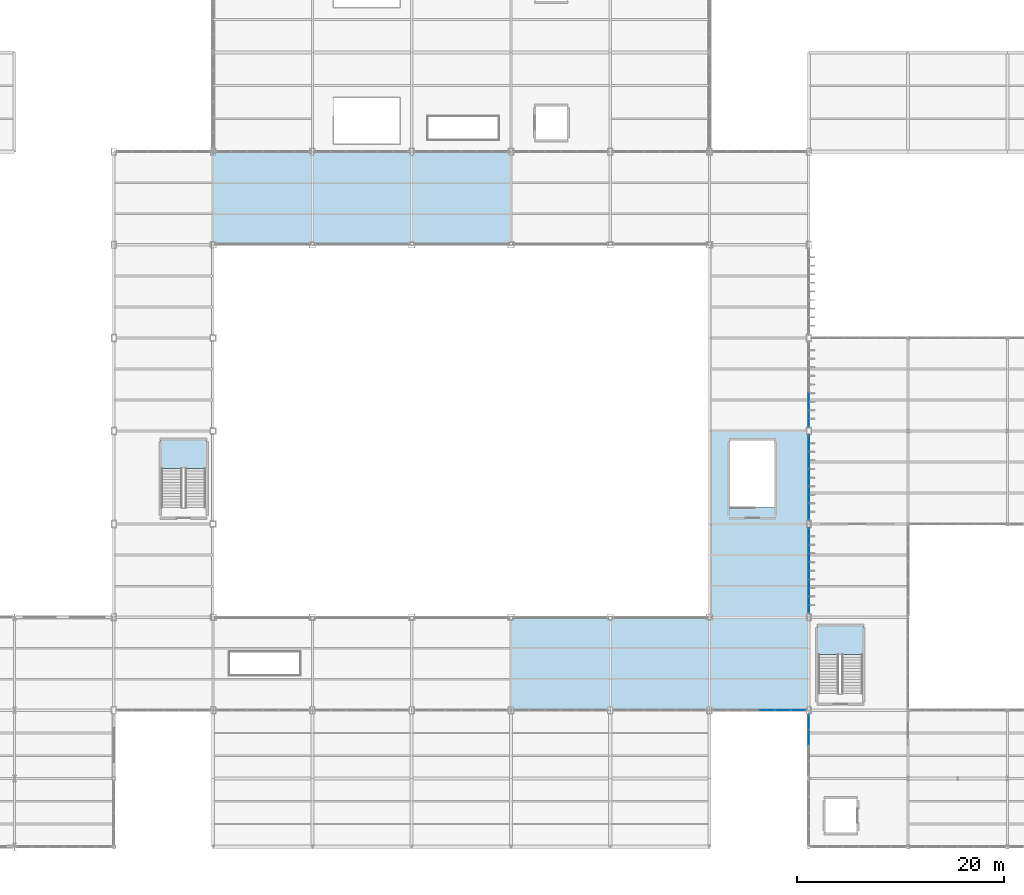
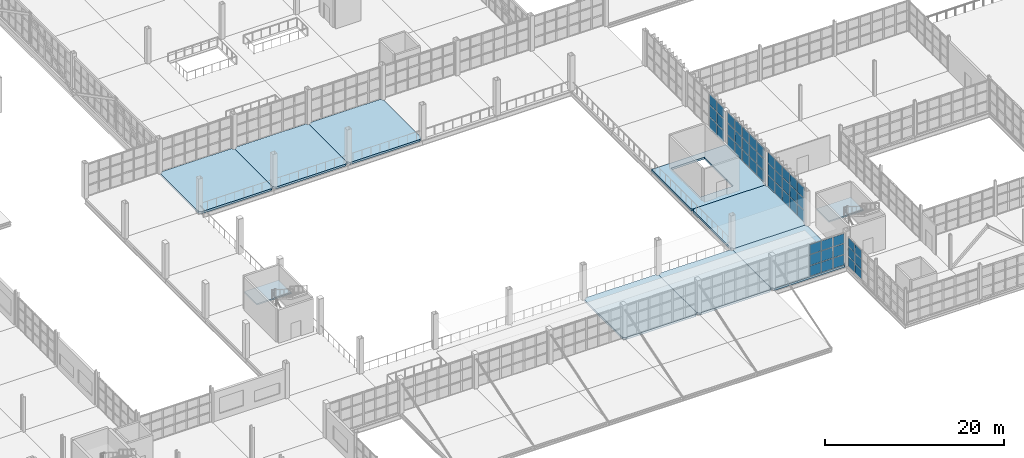
# One storey, part 79 of 120: 51 plates, 10 slabs, 7 elements without a shape of their own.
"""IFC4 building model written with IfcOpenShell, lengths in metres."""

from ifc_helpers import new_model, si_unit, direction, frame, origin, origin_2d, place, context, subcontext, project, spatial, polyline, rectangle, outline, extrude, material, layer, layer_set, type_object, element, aggregate, save


model = new_model("IFC4")

# Units and contexts
model_context = context("Model", 3, precision=1e-05, world=origin(), true_north=direction((0.0, 1.0)))
body_context = subcontext(model_context, "Body", "Model", "MODEL_VIEW")
ifc_project = project(units=[si_unit("LENGTHUNIT", "METRE"), si_unit("AREAUNIT", "SQUARE_METRE"), si_unit("VOLUMEUNIT", "CUBIC_METRE"), si_unit("PLANEANGLEUNIT", "RADIAN"), si_unit("MASSUNIT", "GRAM", prefix="KILO")], contexts=[model_context])

# Site, building, storey
site_placement = place(None, origin())
site = spatial("IfcSite", under=ifc_project, at=site_placement, CompositionType="ELEMENT")
building_placement = place(site_placement, origin())
building = spatial("IfcBuilding", under=site, at=building_placement, Name="Zarnetskaya Central Station", CompositionType="ELEMENT")
storey_placement = place(building_placement, frame((0.0, 0.0, 5.39990234375)))
storey = spatial("IfcBuildingStorey", under=building, at=storey_placement, Name="L01", CompositionType="ELEMENT", Elevation=5.39990234375)

# Curtain wall, plates
ifc_material_1 = material(Name="Low-E insulated glass", Category="glass")
ifc_layer_1 = layer(ifc_material_1, 0.1640625, Name="Low-E insulated glass", Category="glass")
ifc_layer_set_1 = layer_set([ifc_layer_1], Name="Low-E insulated glass")
curtain_wall_type_1 = type_object("IfcCurtainWallType", Name="CW-SYS-17", PredefinedType="USERDEFINED", material=ifc_layer_set_1)
curtain_wall_1_placement = place(storey_placement, origin())
curtain_wall_1 = element("IfcCurtainWall", 1, at=curtain_wall_1_placement, inside=storey, type_object=curtain_wall_type_1, Name="Curtain wall CW-L01-095", ObjectType="CURTAIN WALL", PredefinedType="USERDEFINED")
ifc_layer_2 = layer(ifc_material_1, 0.028076171875, Name="Low-E insulated glass", Category="glass")
ifc_layer_set_2 = layer_set([ifc_layer_2], Name="Low-E insulated glass")
plate_type_1 = type_object("IfcPlateType", Name="CW-PAN-28", PredefinedType="CURTAIN_PANEL", material=ifc_layer_set_2)
plate_1_placement = place(storey_placement, frame((124.800048828125, 43.0400390625, 0.06982421875), z_axis=(0.0, 0.0, 1.0), x_axis=(0.0, -1.0, 0.0)))
plate_1 = element("IfcPlate", 2, at=plate_1_placement, type_object=plate_type_1, Name="CW-03 panel 4.1", PredefinedType="CURTAIN_PANEL", context=body_context, shape_type="SweptSolid", body=[
    extrude(rectangle(XDim=1.590087890625, YDim=0.028076171875, at=origin_2d()), origin(), (0.0, 0.0, 1.0), 1.527099609375),
])
plate_2_placement = place(storey_placement, frame((124.800048828125, 43.0400390625, 1.6669921875), z_axis=(0.0, 0.0, 1.0), x_axis=(0.0, -1.0, 0.0)))
plate_2 = element("IfcPlate", 3, at=plate_2_placement, type_object=plate_type_1, Name="CW-03 panel 4.2", PredefinedType="CURTAIN_PANEL", context=body_context, shape_type="SweptSolid", body=[
    extrude(rectangle(XDim=1.590087890625, YDim=0.028076171875, at=origin_2d()), origin(), (0.0, 0.0, 1.0), 1.56201171875),
])
plate_3_placement = place(storey_placement, frame((124.800048828125, 43.0400390625, 3.29931640625), z_axis=(0.0, 0.0, 1.0), x_axis=(0.0, -1.0, 0.0)))
plate_3 = element("IfcPlate", 4, at=plate_3_placement, type_object=plate_type_1, Name="CW-03 panel 4.3", PredefinedType="CURTAIN_PANEL", context=body_context, shape_type="SweptSolid", body=[
    extrude(rectangle(XDim=1.590087890625, YDim=0.028076171875, at=origin_2d()), origin(), (0.0, 0.0, 1.0), 1.430908203125),
])
plate_4_placement = place(storey_placement, frame((124.800048828125, 41.3974609375, 0.06982421875), z_axis=(0.0, 0.0, 1.0), x_axis=(0.0, -1.0, 0.0)))
plate_4 = element("IfcPlate", 5, at=plate_4_placement, type_object=plate_type_1, Name="CW-03 panel 5.1", PredefinedType="CURTAIN_PANEL", context=body_context, shape_type="SweptSolid", body=[
    extrude(rectangle(XDim=1.554931640625, YDim=0.028076171875, at=origin_2d()), origin(), (0.0, 0.0, 1.0), 1.527099609375),
])
plate_5_placement = place(storey_placement, frame((124.800048828125, 41.3974609375, 1.6669921875), z_axis=(0.0, 0.0, 1.0), x_axis=(0.0, -1.0, 0.0)))
plate_5 = element("IfcPlate", 6, at=plate_5_placement, type_object=plate_type_1, Name="CW-03 panel 5.2", PredefinedType="CURTAIN_PANEL", context=body_context, shape_type="SweptSolid", body=[
    extrude(rectangle(XDim=1.554931640625, YDim=0.028076171875, at=origin_2d()), origin(), (0.0, 0.0, 1.0), 1.56201171875),
])
plate_6_placement = place(storey_placement, frame((124.800048828125, 41.3974609375, 3.29931640625), z_axis=(0.0, 0.0, 1.0), x_axis=(0.0, -1.0, 0.0)))
plate_6 = element("IfcPlate", 7, at=plate_6_placement, type_object=plate_type_1, Name="CW-03 panel 5.3", PredefinedType="CURTAIN_PANEL", context=body_context, shape_type="SweptSolid", body=[
    extrude(rectangle(XDim=1.554931640625, YDim=0.028076171875, at=origin_2d()), origin(), (0.0, 0.0, 1.0), 1.430908203125),
])
aggregate(curtain_wall_1, [plate_1, plate_2, plate_3, plate_4, plate_5, plate_6])

ifc_layer_3 = layer(ifc_material_1, 0.172119140625, Name="Low-E insulated glass", Category="glass")
ifc_layer_set_3 = layer_set([ifc_layer_3], Name="Low-E insulated glass")
curtain_wall_type_2 = type_object("IfcCurtainWallType", Name="CW-SYS-14", PredefinedType="USERDEFINED", material=ifc_layer_set_3)
curtain_wall_2_placement = place(storey_placement, origin())
curtain_wall_2 = element("IfcCurtainWall", 8, at=curtain_wall_2_placement, inside=storey, type_object=curtain_wall_type_2, Name="Curtain wall CW-L01-086", ObjectType="CURTAIN WALL", PredefinedType="USERDEFINED")
ifc_layer_4 = layer(ifc_material_1, 0.031982421875, Name="Low-E insulated glass", Category="glass")
ifc_layer_set_4 = layer_set([ifc_layer_4], Name="Low-E insulated glass")
plate_type_2 = type_object("IfcPlateType", Name="CW-PAN-32", PredefinedType="CURTAIN_PANEL", material=ifc_layer_set_4)
plate_7_placement = place(storey_placement, frame((123.771728515625, 13.199951171875, 0.080078125), z_axis=(0.0, 0.0, 1.0), x_axis=(-1.0, 0.0, 0.0)))
plate_7 = element("IfcPlate", 9, at=plate_7_placement, type_object=plate_type_2, Name="CW-17 panel 1.1", PredefinedType="CURTAIN_PANEL", context=body_context, shape_type="SweptSolid", body=[
    extrude(rectangle(XDim=1.396728515625, YDim=0.031982421875, at=origin_2d()), origin(), (0.0, 0.0, 1.0), 1.39306640625),
])
plate_8_placement = place(storey_placement, frame((123.771728515625, 13.199951171875, 1.552978515625), z_axis=(0.0, 0.0, 1.0), x_axis=(-1.0, 0.0, 0.0)))
plate_8 = element("IfcPlate", 10, at=plate_8_placement, type_object=plate_type_2, Name="CW-17 panel 1.2", PredefinedType="CURTAIN_PANEL", context=body_context, shape_type="SweptSolid", body=[
    extrude(rectangle(XDim=1.396728515625, YDim=0.031982421875, at=origin_2d()), origin(), (0.0, 0.0, 1.0), 1.43310546875),
])
plate_9_placement = place(storey_placement, frame((123.771728515625, 13.199951171875, 3.06591796875), z_axis=(0.0, 0.0, 1.0), x_axis=(-1.0, 0.0, 0.0)))
plate_9 = element("IfcPlate", 11, at=plate_9_placement, type_object=plate_type_2, Name="CW-17 panel 1.3", PredefinedType="CURTAIN_PANEL", context=body_context, shape_type="SweptSolid", body=[
    extrude(rectangle(XDim=1.396728515625, YDim=0.031982421875, at=origin_2d()), origin(), (0.0, 0.0, 1.0), 1.303955078125),
])
plate_10_placement = place(storey_placement, frame((122.27490234375, 13.199951171875, 0.080078125), z_axis=(0.0, 0.0, 1.0), x_axis=(-1.0, 0.0, 0.0)))
plate_10 = element("IfcPlate", 12, at=plate_10_placement, type_object=plate_type_2, Name="CW-17 panel 2.1", PredefinedType="CURTAIN_PANEL", context=body_context, shape_type="SweptSolid", body=[
    extrude(rectangle(XDim=1.436767578125, YDim=0.031982421875, at=origin_2d()), origin(), (0.0, 0.0, 1.0), 1.39306640625),
])
plate_11_placement = place(storey_placement, frame((122.27490234375, 13.199951171875, 1.552978515625), z_axis=(0.0, 0.0, 1.0), x_axis=(-1.0, 0.0, 0.0)))
plate_11 = element("IfcPlate", 13, at=plate_11_placement, type_object=plate_type_2, Name="CW-17 panel 2.2", PredefinedType="CURTAIN_PANEL", context=body_context, shape_type="SweptSolid", body=[
    extrude(rectangle(XDim=1.436767578125, YDim=0.031982421875, at=origin_2d()), origin(), (0.0, 0.0, 1.0), 1.43310546875),
])
plate_12_placement = place(storey_placement, frame((122.27490234375, 13.199951171875, 3.06591796875), z_axis=(0.0, 0.0, 1.0), x_axis=(-1.0, 0.0, 0.0)))
plate_12 = element("IfcPlate", 14, at=plate_12_placement, type_object=plate_type_2, Name="CW-17 panel 2.3", PredefinedType="CURTAIN_PANEL", context=body_context, shape_type="SweptSolid", body=[
    extrude(rectangle(XDim=1.436767578125, YDim=0.031982421875, at=origin_2d()), origin(), (0.0, 0.0, 1.0), 1.303955078125),
])
plate_13_placement = place(storey_placement, frame((120.75830078125, 13.199951171875, 0.080078125), z_axis=(0.0, 0.0, 1.0), x_axis=(-1.0, 0.0, 0.0)))
plate_13 = element("IfcPlate", 15, at=plate_13_placement, type_object=plate_type_2, Name="CW-17 panel 3.1", PredefinedType="CURTAIN_PANEL", context=body_context, shape_type="SweptSolid", body=[
    extrude(rectangle(XDim=1.436767578125, YDim=0.031982421875, at=origin_2d()), origin(), (0.0, 0.0, 1.0), 1.39306640625),
])
plate_14_placement = place(storey_placement, frame((120.75830078125, 13.199951171875, 1.552978515625), z_axis=(0.0, 0.0, 1.0), x_axis=(-1.0, 0.0, 0.0)))
plate_14 = element("IfcPlate", 16, at=plate_14_placement, type_object=plate_type_2, Name="CW-17 panel 3.2", PredefinedType="CURTAIN_PANEL", context=body_context, shape_type="SweptSolid", body=[
    extrude(rectangle(XDim=1.436767578125, YDim=0.031982421875, at=origin_2d()), origin(), (0.0, 0.0, 1.0), 1.43310546875),
])
plate_15_placement = place(storey_placement, frame((120.75830078125, 13.199951171875, 3.06591796875), z_axis=(0.0, 0.0, 1.0), x_axis=(-1.0, 0.0, 0.0)))
plate_15 = element("IfcPlate", 17, at=plate_15_placement, type_object=plate_type_2, Name="CW-17 panel 3.3", PredefinedType="CURTAIN_PANEL", context=body_context, shape_type="SweptSolid", body=[
    extrude(rectangle(XDim=1.436767578125, YDim=0.031982421875, at=origin_2d()), origin(), (0.0, 0.0, 1.0), 1.303955078125),
])
aggregate(curtain_wall_2, [plate_7, plate_8, plate_9, plate_10, plate_11, plate_12, plate_13, plate_14, plate_15])

ifc_layer_5 = layer(ifc_material_1, 0.159912109375, Name="Low-E insulated glass", Category="glass")
ifc_layer_set_5 = layer_set([ifc_layer_5], Name="Low-E insulated glass")
curtain_wall_type_3 = type_object("IfcCurtainWallType", Name="CW-SYS-06", PredefinedType="USERDEFINED", material=ifc_layer_set_5)
curtain_wall_3_placement = place(storey_placement, origin())
curtain_wall_3 = element("IfcCurtainWall", 18, at=curtain_wall_3_placement, inside=storey, type_object=curtain_wall_type_3, Name="Curtain wall CW-L01-111", ObjectType="CURTAIN WALL", PredefinedType="USERDEFINED")
plate_16_placement = place(storey_placement, frame((124.800048828125, 10.572998046875, 0.070068359375), z_axis=(0.0, 0.0, 1.0), x_axis=(0.0, 1.0, 0.0)))
plate_16 = element("IfcPlate", 19, at=plate_16_placement, type_object=plate_type_2, Name="CW-02 panel 3.1", PredefinedType="CURTAIN_PANEL", context=body_context, shape_type="SweptSolid", body=[
    extrude(rectangle(XDim=1.447998046875, YDim=0.031982421875, at=origin_2d()), origin(), (0.0, 0.0, 1.0), 1.26904296875),
])
plate_17_placement = place(storey_placement, frame((124.800048828125, 10.572998046875, 1.4091796875), z_axis=(0.0, 0.0, 1.0), x_axis=(0.0, 1.0, 0.0)))
plate_17 = element("IfcPlate", 20, at=plate_17_placement, type_object=plate_type_2, Name="CW-02 panel 3.2", PredefinedType="CURTAIN_PANEL", context=body_context, shape_type="SweptSolid", body=[
    extrude(rectangle(XDim=1.447998046875, YDim=0.031982421875, at=origin_2d()), origin(), (0.0, 0.0, 1.0), 1.302978515625),
])
plate_18_placement = place(storey_placement, frame((124.800048828125, 10.572998046875, 2.781982421875), z_axis=(0.0, 0.0, 1.0), x_axis=(0.0, 1.0, 0.0)))
plate_18 = element("IfcPlate", 21, at=plate_18_placement, type_object=plate_type_2, Name="CW-02 panel 3.3", PredefinedType="CURTAIN_PANEL", context=body_context, shape_type="SweptSolid", body=[
    extrude(rectangle(XDim=1.447998046875, YDim=0.031982421875, at=origin_2d()), origin(), (0.0, 0.0, 1.0), 1.18798828125),
])
plate_19_placement = place(storey_placement, frame((124.800048828125, 12.073486328125, 0.070068359375), z_axis=(0.0, 0.0, 1.0), x_axis=(0.0, 1.0, 0.0)))
plate_19 = element("IfcPlate", 22, at=plate_19_placement, type_object=plate_type_2, Name="CW-02 panel 4.1", PredefinedType="CURTAIN_PANEL", context=body_context, shape_type="SweptSolid", body=[
    extrude(rectangle(XDim=1.4130859375, YDim=0.031982421875, at=origin_2d()), origin(), (0.0, 0.0, 1.0), 1.26904296875),
])
plate_20_placement = place(storey_placement, frame((124.800048828125, 12.073486328125, 1.4091796875), z_axis=(0.0, 0.0, 1.0), x_axis=(0.0, 1.0, 0.0)))
plate_20 = element("IfcPlate", 23, at=plate_20_placement, type_object=plate_type_2, Name="CW-02 panel 4.2", PredefinedType="CURTAIN_PANEL", context=body_context, shape_type="SweptSolid", body=[
    extrude(rectangle(XDim=1.4130859375, YDim=0.031982421875, at=origin_2d()), origin(), (0.0, 0.0, 1.0), 1.302978515625),
])
plate_21_placement = place(storey_placement, frame((124.800048828125, 12.073486328125, 2.781982421875), z_axis=(0.0, 0.0, 1.0), x_axis=(0.0, 1.0, 0.0)))
plate_21 = element("IfcPlate", 24, at=plate_21_placement, type_object=plate_type_2, Name="CW-02 panel 4.3", PredefinedType="CURTAIN_PANEL", context=body_context, shape_type="SweptSolid", body=[
    extrude(rectangle(XDim=1.4130859375, YDim=0.031982421875, at=origin_2d()), origin(), (0.0, 0.0, 1.0), 1.18798828125),
])
aggregate(curtain_wall_3, [plate_16, plate_17, plate_18, plate_19, plate_20, plate_21])

curtain_wall_4_placement = place(storey_placement, origin())
curtain_wall_4 = element("IfcCurtainWall", 25, at=curtain_wall_4_placement, inside=storey, type_object=curtain_wall_type_1, Name="Curtain wall CW-L01-092", ObjectType="CURTAIN WALL", PredefinedType="USERDEFINED")
ifc_layer_6 = layer(ifc_material_1, 0.035888671875, Name="Low-E insulated glass", Category="glass")
ifc_layer_set_6 = layer_set([ifc_layer_6], Name="Low-E insulated glass")
plate_type_3 = type_object("IfcPlateType", Name="CW-PAN-36", PredefinedType="CURTAIN_PANEL", material=ifc_layer_set_6)
plate_22_placement = place(storey_placement, frame((124.800048828125, 39.0, 0.080078125), z_axis=(0.0, 0.0, 1.0), x_axis=(0.0, -1.0, 0.0)))
plate_22 = element("IfcPlate", 26, at=plate_22_placement, type_object=plate_type_3, Name="CW-03 panel 1.1", PredefinedType="CURTAIN_PANEL", context=body_context, shape_type="SweptSolid", body=[
    extrude(rectangle(XDim=1.5400390625, YDim=0.035888671875, at=origin_2d()), origin(), (0.0, 0.0, 1.0), 1.511962890625),
])
plate_23_placement = place(storey_placement, frame((124.800048828125, 39.0, 1.671875), z_axis=(0.0, 0.0, 1.0), x_axis=(0.0, -1.0, 0.0)))
plate_23 = element("IfcPlate", 27, at=plate_23_placement, type_object=plate_type_3, Name="CW-03 panel 1.2", PredefinedType="CURTAIN_PANEL", context=body_context, shape_type="SweptSolid", body=[
    extrude(rectangle(XDim=1.5400390625, YDim=0.035888671875, at=origin_2d()), origin(), (0.0, 0.0, 1.0), 1.552001953125),
])
plate_24_placement = place(storey_placement, frame((124.800048828125, 39.0, 3.30419921875), z_axis=(0.0, 0.0, 1.0), x_axis=(0.0, -1.0, 0.0)))
plate_24 = element("IfcPlate", 28, at=plate_24_placement, type_object=plate_type_3, Name="CW-03 panel 1.3", PredefinedType="CURTAIN_PANEL", context=body_context, shape_type="SweptSolid", body=[
    extrude(rectangle(XDim=1.5400390625, YDim=0.035888671875, at=origin_2d()), origin(), (0.0, 0.0, 1.0), 1.416015625),
])
plate_25_placement = place(storey_placement, frame((124.800048828125, 37.360107421875, 0.080078125), z_axis=(0.0, 0.0, 1.0), x_axis=(0.0, -1.0, 0.0)))
plate_25 = element("IfcPlate", 29, at=plate_25_placement, type_object=plate_type_3, Name="CW-03 panel 2.1", PredefinedType="CURTAIN_PANEL", context=body_context, shape_type="SweptSolid", body=[
    extrude(rectangle(XDim=1.580078125, YDim=0.035888671875, at=origin_2d()), origin(), (0.0, 0.0, 1.0), 1.511962890625),
])
plate_26_placement = place(storey_placement, frame((124.800048828125, 37.360107421875, 1.671875), z_axis=(0.0, 0.0, 1.0), x_axis=(0.0, -1.0, 0.0)))
plate_26 = element("IfcPlate", 30, at=plate_26_placement, type_object=plate_type_3, Name="CW-03 panel 2.2", PredefinedType="CURTAIN_PANEL", context=body_context, shape_type="SweptSolid", body=[
    extrude(rectangle(XDim=1.580078125, YDim=0.035888671875, at=origin_2d()), origin(), (0.0, 0.0, 1.0), 1.552001953125),
])
plate_27_placement = place(storey_placement, frame((124.800048828125, 37.360107421875, 3.30419921875), z_axis=(0.0, 0.0, 1.0), x_axis=(0.0, -1.0, 0.0)))
plate_27 = element("IfcPlate", 31, at=plate_27_placement, type_object=plate_type_3, Name="CW-03 panel 2.3", PredefinedType="CURTAIN_PANEL", context=body_context, shape_type="SweptSolid", body=[
    extrude(rectangle(XDim=1.580078125, YDim=0.035888671875, at=origin_2d()), origin(), (0.0, 0.0, 1.0), 1.416015625),
])
plate_28_placement = place(storey_placement, frame((124.800048828125, 35.699951171875, 0.080078125), z_axis=(0.0, 0.0, 1.0), x_axis=(0.0, -1.0, 0.0)))
plate_28 = element("IfcPlate", 32, at=plate_28_placement, type_object=plate_type_3, Name="CW-03 panel 3.1", PredefinedType="CURTAIN_PANEL", context=body_context, shape_type="SweptSolid", body=[
    extrude(rectangle(XDim=1.580078125, YDim=0.035888671875, at=origin_2d()), origin(), (0.0, 0.0, 1.0), 1.511962890625),
])
plate_29_placement = place(storey_placement, frame((124.800048828125, 35.699951171875, 1.671875), z_axis=(0.0, 0.0, 1.0), x_axis=(0.0, -1.0, 0.0)))
plate_29 = element("IfcPlate", 33, at=plate_29_placement, type_object=plate_type_3, Name="CW-03 panel 3.2", PredefinedType="CURTAIN_PANEL", context=body_context, shape_type="SweptSolid", body=[
    extrude(rectangle(XDim=1.580078125, YDim=0.035888671875, at=origin_2d()), origin(), (0.0, 0.0, 1.0), 1.552001953125),
])
plate_30_placement = place(storey_placement, frame((124.800048828125, 35.699951171875, 3.30419921875), z_axis=(0.0, 0.0, 1.0), x_axis=(0.0, -1.0, 0.0)))
plate_30 = element("IfcPlate", 34, at=plate_30_placement, type_object=plate_type_3, Name="CW-03 panel 3.3", PredefinedType="CURTAIN_PANEL", context=body_context, shape_type="SweptSolid", body=[
    extrude(rectangle(XDim=1.580078125, YDim=0.035888671875, at=origin_2d()), origin(), (0.0, 0.0, 1.0), 1.416015625),
])
plate_31_placement = place(storey_placement, frame((124.800048828125, 34.0400390625, 0.080078125), z_axis=(0.0, 0.0, 1.0), x_axis=(0.0, -1.0, 0.0)))
plate_31 = element("IfcPlate", 35, at=plate_31_placement, type_object=plate_type_3, Name="CW-03 panel 4.1", PredefinedType="CURTAIN_PANEL", context=body_context, shape_type="SweptSolid", body=[
    extrude(rectangle(XDim=1.580078125, YDim=0.035888671875, at=origin_2d()), origin(), (0.0, 0.0, 1.0), 1.511962890625),
])
plate_32_placement = place(storey_placement, frame((124.800048828125, 34.0400390625, 1.671875), z_axis=(0.0, 0.0, 1.0), x_axis=(0.0, -1.0, 0.0)))
plate_32 = element("IfcPlate", 36, at=plate_32_placement, type_object=plate_type_3, Name="CW-03 panel 4.2", PredefinedType="CURTAIN_PANEL", context=body_context, shape_type="SweptSolid", body=[
    extrude(rectangle(XDim=1.580078125, YDim=0.035888671875, at=origin_2d()), origin(), (0.0, 0.0, 1.0), 1.552001953125),
])
plate_33_placement = place(storey_placement, frame((124.800048828125, 34.0400390625, 3.30419921875), z_axis=(0.0, 0.0, 1.0), x_axis=(0.0, -1.0, 0.0)))
plate_33 = element("IfcPlate", 37, at=plate_33_placement, type_object=plate_type_3, Name="CW-03 panel 4.3", PredefinedType="CURTAIN_PANEL", context=body_context, shape_type="SweptSolid", body=[
    extrude(rectangle(XDim=1.580078125, YDim=0.035888671875, at=origin_2d()), origin(), (0.0, 0.0, 1.0), 1.416015625),
])
plate_34_placement = place(storey_placement, frame((124.800048828125, 32.39990234375, 0.080078125), z_axis=(0.0, 0.0, 1.0), x_axis=(0.0, -1.0, 0.0)))
plate_34 = element("IfcPlate", 38, at=plate_34_placement, type_object=plate_type_3, Name="CW-03 panel 5.1", PredefinedType="CURTAIN_PANEL", context=body_context, shape_type="SweptSolid", body=[
    extrude(rectangle(XDim=1.5400390625, YDim=0.035888671875, at=origin_2d()), origin(), (0.0, 0.0, 1.0), 1.511962890625),
])
plate_35_placement = place(storey_placement, frame((124.800048828125, 32.39990234375, 1.671875), z_axis=(0.0, 0.0, 1.0), x_axis=(0.0, -1.0, 0.0)))
plate_35 = element("IfcPlate", 39, at=plate_35_placement, type_object=plate_type_3, Name="CW-03 panel 5.2", PredefinedType="CURTAIN_PANEL", context=body_context, shape_type="SweptSolid", body=[
    extrude(rectangle(XDim=1.5400390625, YDim=0.035888671875, at=origin_2d()), origin(), (0.0, 0.0, 1.0), 1.552001953125),
])
plate_36_placement = place(storey_placement, frame((124.800048828125, 32.39990234375, 3.30419921875), z_axis=(0.0, 0.0, 1.0), x_axis=(0.0, -1.0, 0.0)))
plate_36 = element("IfcPlate", 40, at=plate_36_placement, type_object=plate_type_3, Name="CW-03 panel 5.3", PredefinedType="CURTAIN_PANEL", context=body_context, shape_type="SweptSolid", body=[
    extrude(rectangle(XDim=1.5400390625, YDim=0.035888671875, at=origin_2d()), origin(), (0.0, 0.0, 1.0), 1.416015625),
])
aggregate(curtain_wall_4, [plate_22, plate_23, plate_24, plate_25, plate_26, plate_27, plate_28, plate_29, plate_30, plate_31, plate_32, plate_33, plate_34, plate_35, plate_36])

curtain_wall_5_placement = place(storey_placement, origin())
curtain_wall_5 = element("IfcCurtainWall", 41, at=curtain_wall_5_placement, inside=storey, type_object=curtain_wall_type_1, Name="Curtain wall CW-L01-089", ObjectType="CURTAIN WALL", PredefinedType="USERDEFINED")
ifc_layer_7 = layer(ifc_material_1, 0.0439453125, Name="Low-E insulated glass", Category="glass")
ifc_layer_set_7 = layer_set([ifc_layer_7], Name="Low-E insulated glass")
plate_type_4 = type_object("IfcPlateType", Name="CW-PAN-44", PredefinedType="CURTAIN_PANEL", material=ifc_layer_set_7)
plate_37_placement = place(storey_placement, frame((124.800048828125, 30.00244140625, 0.06982421875), z_axis=(0.0, 0.0, 1.0), x_axis=(0.0, -1.0, 0.0)))
plate_37 = element("IfcPlate", 42, at=plate_37_placement, type_object=plate_type_4, Name="CW-03 panel 1.1", PredefinedType="CURTAIN_PANEL", context=body_context, shape_type="SweptSolid", body=[
    extrude(rectangle(XDim=1.554931640625, YDim=0.0439453125, at=origin_2d()), origin(), (0.0, 0.0, 1.0), 1.527099609375),
])
plate_38_placement = place(storey_placement, frame((124.800048828125, 30.00244140625, 1.6669921875), z_axis=(0.0, 0.0, 1.0), x_axis=(0.0, -1.0, 0.0)))
plate_38 = element("IfcPlate", 43, at=plate_38_placement, type_object=plate_type_4, Name="CW-03 panel 1.2", PredefinedType="CURTAIN_PANEL", context=body_context, shape_type="SweptSolid", body=[
    extrude(rectangle(XDim=1.554931640625, YDim=0.0439453125, at=origin_2d()), origin(), (0.0, 0.0, 1.0), 1.56201171875),
])
plate_39_placement = place(storey_placement, frame((124.800048828125, 30.00244140625, 3.29931640625), z_axis=(0.0, 0.0, 1.0), x_axis=(0.0, -1.0, 0.0)))
plate_39 = element("IfcPlate", 44, at=plate_39_placement, type_object=plate_type_4, Name="CW-03 panel 1.3", PredefinedType="CURTAIN_PANEL", context=body_context, shape_type="SweptSolid", body=[
    extrude(rectangle(XDim=1.554931640625, YDim=0.0439453125, at=origin_2d()), origin(), (0.0, 0.0, 1.0), 1.430908203125),
])
plate_40_placement = place(storey_placement, frame((124.800048828125, 28.360107421875, 0.06982421875), z_axis=(0.0, 0.0, 1.0), x_axis=(0.0, -1.0, 0.0)))
plate_40 = element("IfcPlate", 45, at=plate_40_placement, type_object=plate_type_4, Name="CW-03 panel 2.1", PredefinedType="CURTAIN_PANEL", context=body_context, shape_type="SweptSolid", body=[
    extrude(rectangle(XDim=1.590087890625, YDim=0.0439453125, at=origin_2d()), origin(), (0.0, 0.0, 1.0), 1.527099609375),
])
plate_41_placement = place(storey_placement, frame((124.800048828125, 28.360107421875, 1.6669921875), z_axis=(0.0, 0.0, 1.0), x_axis=(0.0, -1.0, 0.0)))
plate_41 = element("IfcPlate", 46, at=plate_41_placement, type_object=plate_type_4, Name="CW-03 panel 2.2", PredefinedType="CURTAIN_PANEL", context=body_context, shape_type="SweptSolid", body=[
    extrude(rectangle(XDim=1.590087890625, YDim=0.0439453125, at=origin_2d()), origin(), (0.0, 0.0, 1.0), 1.56201171875),
])
plate_42_placement = place(storey_placement, frame((124.800048828125, 28.360107421875, 3.29931640625), z_axis=(0.0, 0.0, 1.0), x_axis=(0.0, -1.0, 0.0)))
plate_42 = element("IfcPlate", 47, at=plate_42_placement, type_object=plate_type_4, Name="CW-03 panel 2.3", PredefinedType="CURTAIN_PANEL", context=body_context, shape_type="SweptSolid", body=[
    extrude(rectangle(XDim=1.590087890625, YDim=0.0439453125, at=origin_2d()), origin(), (0.0, 0.0, 1.0), 1.430908203125),
])
plate_43_placement = place(storey_placement, frame((124.800048828125, 26.699951171875, 0.06982421875), z_axis=(0.0, 0.0, 1.0), x_axis=(0.0, -1.0, 0.0)))
plate_43 = element("IfcPlate", 48, at=plate_43_placement, type_object=plate_type_4, Name="CW-03 panel 3.1", PredefinedType="CURTAIN_PANEL", context=body_context, shape_type="SweptSolid", body=[
    extrude(rectangle(XDim=1.590087890625, YDim=0.0439453125, at=origin_2d()), origin(), (0.0, 0.0, 1.0), 1.527099609375),
])
plate_44_placement = place(storey_placement, frame((124.800048828125, 26.699951171875, 1.6669921875), z_axis=(0.0, 0.0, 1.0), x_axis=(0.0, -1.0, 0.0)))
plate_44 = element("IfcPlate", 49, at=plate_44_placement, type_object=plate_type_4, Name="CW-03 panel 3.2", PredefinedType="CURTAIN_PANEL", context=body_context, shape_type="SweptSolid", body=[
    extrude(rectangle(XDim=1.590087890625, YDim=0.0439453125, at=origin_2d()), origin(), (0.0, 0.0, 1.0), 1.56201171875),
])
plate_45_placement = place(storey_placement, frame((124.800048828125, 26.699951171875, 3.29931640625), z_axis=(0.0, 0.0, 1.0), x_axis=(0.0, -1.0, 0.0)))
plate_45 = element("IfcPlate", 50, at=plate_45_placement, type_object=plate_type_4, Name="CW-03 panel 3.3", PredefinedType="CURTAIN_PANEL", context=body_context, shape_type="SweptSolid", body=[
    extrude(rectangle(XDim=1.590087890625, YDim=0.0439453125, at=origin_2d()), origin(), (0.0, 0.0, 1.0), 1.430908203125),
])
plate_46_placement = place(storey_placement, frame((124.800048828125, 25.0400390625, 0.06982421875), z_axis=(0.0, 0.0, 1.0), x_axis=(0.0, -1.0, 0.0)))
plate_46 = element("IfcPlate", 51, at=plate_46_placement, type_object=plate_type_4, Name="CW-03 panel 4.1", PredefinedType="CURTAIN_PANEL", context=body_context, shape_type="SweptSolid", body=[
    extrude(rectangle(XDim=1.590087890625, YDim=0.0439453125, at=origin_2d()), origin(), (0.0, 0.0, 1.0), 1.527099609375),
])
plate_47_placement = place(storey_placement, frame((124.800048828125, 25.0400390625, 1.6669921875), z_axis=(0.0, 0.0, 1.0), x_axis=(0.0, -1.0, 0.0)))
plate_47 = element("IfcPlate", 52, at=plate_47_placement, type_object=plate_type_4, Name="CW-03 panel 4.2", PredefinedType="CURTAIN_PANEL", context=body_context, shape_type="SweptSolid", body=[
    extrude(rectangle(XDim=1.590087890625, YDim=0.0439453125, at=origin_2d()), origin(), (0.0, 0.0, 1.0), 1.56201171875),
])
plate_48_placement = place(storey_placement, frame((124.800048828125, 25.0400390625, 3.29931640625), z_axis=(0.0, 0.0, 1.0), x_axis=(0.0, -1.0, 0.0)))
plate_48 = element("IfcPlate", 53, at=plate_48_placement, type_object=plate_type_4, Name="CW-03 panel 4.3", PredefinedType="CURTAIN_PANEL", context=body_context, shape_type="SweptSolid", body=[
    extrude(rectangle(XDim=1.590087890625, YDim=0.0439453125, at=origin_2d()), origin(), (0.0, 0.0, 1.0), 1.430908203125),
])
plate_49_placement = place(storey_placement, frame((124.800048828125, 23.3974609375, 0.06982421875), z_axis=(0.0, 0.0, 1.0), x_axis=(0.0, -1.0, 0.0)))
plate_49 = element("IfcPlate", 54, at=plate_49_placement, type_object=plate_type_4, Name="CW-03 panel 5.1", PredefinedType="CURTAIN_PANEL", context=body_context, shape_type="SweptSolid", body=[
    extrude(rectangle(XDim=1.554931640625, YDim=0.0439453125, at=origin_2d()), origin(), (0.0, 0.0, 1.0), 1.527099609375),
])
plate_50_placement = place(storey_placement, frame((124.800048828125, 23.3974609375, 1.6669921875), z_axis=(0.0, 0.0, 1.0), x_axis=(0.0, -1.0, 0.0)))
plate_50 = element("IfcPlate", 55, at=plate_50_placement, type_object=plate_type_4, Name="CW-03 panel 5.2", PredefinedType="CURTAIN_PANEL", context=body_context, shape_type="SweptSolid", body=[
    extrude(rectangle(XDim=1.554931640625, YDim=0.0439453125, at=origin_2d()), origin(), (0.0, 0.0, 1.0), 1.56201171875),
])
plate_51_placement = place(storey_placement, frame((124.800048828125, 23.3974609375, 3.29931640625), z_axis=(0.0, 0.0, 1.0), x_axis=(0.0, -1.0, 0.0)))
plate_51 = element("IfcPlate", 56, at=plate_51_placement, type_object=plate_type_4, Name="CW-03 panel 5.3", PredefinedType="CURTAIN_PANEL", context=body_context, shape_type="SweptSolid", body=[
    extrude(rectangle(XDim=1.554931640625, YDim=0.0439453125, at=origin_2d()), origin(), (0.0, 0.0, 1.0), 1.430908203125),
])
aggregate(curtain_wall_5, [plate_37, plate_38, plate_39, plate_40, plate_41, plate_42, plate_43, plate_44, plate_45, plate_46, plate_47, plate_48, plate_49, plate_50, plate_51])

# Slabs
ifc_material_2 = material(Name="Concrete C30/37", Category="concrete")
ifc_layer_8 = layer(ifc_material_2, 0.280029296875, Name="Concrete C30/37", Category="concrete")
ifc_layer_set_8 = layer_set([ifc_layer_8], Name="Concrete C30/37")
slab_type_1 = type_object("IfcSlabType", Name="SLAB-BRG-280", PredefinedType="FLOOR", material=ifc_layer_set_8)
slab_1_placement = place(storey_placement, frame((0.0, 0.0, -0.27978515625)))
element("IfcSlab", 57, at=slab_1_placement, inside=storey, type_object=slab_type_1, Name="L01 slab H-J/8-9", PredefinedType="FLOOR", context=body_context, shape_type="SweptSolid", body=[
    extrude(outline(polyline([(67.5, 58.199951171875), (76.5, 58.199951171875), (76.800048828125, 58.5), (76.800048828125, 66.89990234375), (76.5, 67.199951171875), (67.5, 67.199951171875), (67.199951171875, 66.89990234375), (67.199951171875, 58.5), (67.5, 58.199951171875)])), origin(), (0.0, 0.0, 1.0), 0.27978515625),
])
slab_2_placement = place(storey_placement, frame((0.0, 0.0, -0.27978515625)))
element("IfcSlab", 58, at=slab_2_placement, inside=storey, type_object=slab_type_1, Name="L01 slab J-K/8-9", PredefinedType="FLOOR", context=body_context, shape_type="SweptSolid", body=[
    extrude(outline(polyline([(77.10009765625, 58.199951171875), (86.10009765625, 58.199951171875), (86.39990234375, 58.5), (86.39990234375, 66.89990234375), (86.10009765625, 67.199951171875), (77.10009765625, 67.199951171875), (76.800048828125, 66.89990234375), (76.800048828125, 58.5), (77.10009765625, 58.199951171875)])), origin(), (0.0, 0.0, 1.0), 0.27978515625),
])
slab_3_placement = place(storey_placement, frame((0.0, 0.0, -0.27978515625)))
element("IfcSlab", 59, at=slab_3_placement, inside=storey, type_object=slab_type_1, Name="L01 slab K-L/8-9", PredefinedType="FLOOR", context=body_context, shape_type="SweptSolid", body=[
    extrude(outline(polyline([(86.699951171875, 58.199951171875), (95.699951171875, 58.199951171875), (96.0, 58.5), (96.0, 66.89990234375), (95.699951171875, 67.199951171875), (86.699951171875, 67.199951171875), (86.39990234375, 66.89990234375), (86.39990234375, 58.5), (86.699951171875, 58.199951171875)])), origin(), (0.0, 0.0, 1.0), 0.27978515625),
])
slab_4_placement = place(storey_placement, frame((0.0, 0.0, -0.27978515625)))
element("IfcSlab", 60, at=slab_4_placement, inside=storey, type_object=slab_type_1, Name="L01 slab L-M/3-4", PredefinedType="FLOOR", context=body_context, shape_type="SweptSolid", body=[
    extrude(outline(polyline([(96.300048828125, 13.199951171875), (105.300048828125, 13.199951171875), (105.60009765625, 13.5), (105.60009765625, 21.89990234375), (105.300048828125, 22.199951171875), (96.300048828125, 22.199951171875), (96.0, 21.89990234375), (96.0, 13.5), (96.300048828125, 13.199951171875)])), origin(), (0.0, 0.0, 1.0), 0.27978515625),
])
slab_5_placement = place(storey_placement, frame((0.0, 0.0, -0.27978515625)))
element("IfcSlab", 61, at=slab_5_placement, inside=storey, type_object=slab_type_1, Name="L01 slab M-N/3-4", PredefinedType="FLOOR", context=body_context, shape_type="SweptSolid", body=[
    extrude(outline(polyline([(105.89990234375, 13.199951171875), (114.89990234375, 13.199951171875), (115.199951171875, 13.5), (115.199951171875, 21.89990234375), (114.89990234375, 22.199951171875), (105.89990234375, 22.199951171875), (105.60009765625, 21.89990234375), (105.60009765625, 13.5), (105.89990234375, 13.199951171875)])), origin(), (0.0, 0.0, 1.0), 0.27978515625),
])
slab_6_placement = place(storey_placement, frame((0.0, 0.0, -0.27978515625)))
element("IfcSlab", 62, at=slab_6_placement, inside=storey, type_object=slab_type_1, Name="L01 slab N-P/3-4", PredefinedType="FLOOR", context=body_context, shape_type="SweptSolid", body=[
    extrude(outline(polyline([(115.5, 13.199951171875), (124.5, 13.199951171875), (124.800048828125, 13.5), (124.800048828125, 21.89990234375), (124.5, 22.199951171875), (115.5, 22.199951171875), (115.199951171875, 21.89990234375), (115.199951171875, 13.5), (115.5, 13.199951171875)])), origin(), (0.0, 0.0, 1.0), 0.27978515625),
])
slab_7_placement = place(storey_placement, frame((0.0, 0.0, -0.27978515625)))
element("IfcSlab", 63, at=slab_7_placement, inside=storey, type_object=slab_type_1, Name="L01 slab N-P/4-5", PredefinedType="FLOOR", context=body_context, shape_type="SweptSolid", body=[
    extrude(outline(polyline([(115.5, 22.199951171875), (124.5, 22.199951171875), (124.800048828125, 22.5), (124.800048828125, 30.89990234375), (124.5, 31.199951171875), (115.5, 31.199951171875), (115.199951171875, 30.89990234375), (115.199951171875, 22.5), (115.5, 22.199951171875)])), origin(), (0.0, 0.0, 1.0), 0.27978515625),
])
slab_8_placement = place(storey_placement, frame((0.0, 0.0, -0.27978515625)))
element("IfcSlab", 64, at=slab_8_placement, inside=storey, type_object=slab_type_1, Name="L01 slab N-P/5-6", PredefinedType="FLOOR", context=body_context, shape_type="SweptSolid", body=[
    extrude(outline(polyline([(115.199951171875, 31.199951171875), (124.800048828125, 31.199951171875), (124.800048828125, 40.199951171875), (115.199951171875, 40.199951171875), (115.199951171875, 31.199951171875)]), holes=[polyline([(117.199951171875, 32.804931640625), (121.5, 32.804931640625), (121.5, 39.300048828125), (117.199951171875, 39.300048828125), (117.199951171875, 32.804931640625)])]), origin(), (0.0, 0.0, 1.0), 0.27978515625),
])

# Stair, slab
stair_type_1 = type_object("IfcStairType", Name="STAIR-ASSY-04", PredefinedType="HALF_TURN_STAIR", material=ifc_material_2)
stair_1_placement = place(storey_placement, origin())
stair_1 = element("IfcStair", 65, at=stair_1_placement, inside=storey, type_object=stair_type_1, Name="Exit Stair ST-H1 L01", PredefinedType="HALF_TURN_STAIR")
ifc_layer_9 = layer(ifc_material_2, 0.18505859375, Name="Concrete C30/37", Category="concrete")
ifc_layer_set_9 = layer_set([ifc_layer_9], Name="Concrete C30/37")
slab_type_2 = type_object("IfcSlabType", Name="SLAB-STAIR-LND", PredefinedType="LANDING", material=ifc_layer_set_9)
slab_9_placement = place(storey_placement, frame((0.0, 0.0, 2.215087890625)))
slab_9 = element("IfcSlab", 66, at=slab_9_placement, type_object=slab_type_2, Name="ST-10 landing 1", PredefinedType="LANDING", context=body_context, shape_type="SweptSolid", body=[
    extrude(outline(polyline([(62.1201171875, 36.574951171875), (66.580078125, 36.574951171875), (66.580078125, 39.3798828125), (62.1201171875, 39.3798828125), (62.1201171875, 36.574951171875)])), origin(), (0.0, 0.0, 1.0), 0.18505859375),
])
aggregate(stair_1, [slab_9])

stair_type_2 = type_object("IfcStairType", Name="STAIR-ASSY-05", PredefinedType="HALF_TURN_STAIR", material=ifc_material_2)
stair_2_placement = place(storey_placement, origin())
stair_2 = element("IfcStair", 67, at=stair_2_placement, inside=storey, type_object=stair_type_2, Name="Exit Stair ST-V1 L01", PredefinedType="HALF_TURN_STAIR")
slab_10_placement = place(storey_placement, frame((0.0, 0.0, 2.215087890625)))
slab_10 = element("IfcSlab", 68, at=slab_10_placement, type_object=slab_type_2, Name="ST-06 landing 1", PredefinedType="LANDING", context=body_context, shape_type="SweptSolid", body=[
    extrude(outline(polyline([(125.6201171875, 18.574951171875), (130.080078125, 18.574951171875), (130.080078125, 21.3798828125), (125.6201171875, 21.3798828125), (125.6201171875, 18.574951171875)])), origin(), (0.0, 0.0, 1.0), 0.18505859375),
])
aggregate(stair_2, [slab_10])

save(model, "model.ifc")
